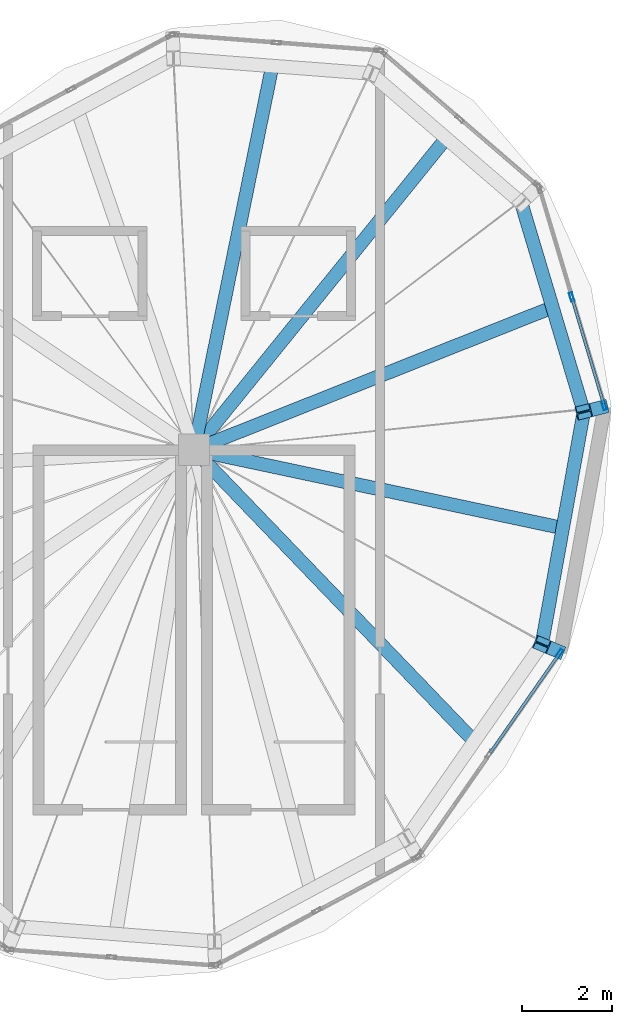
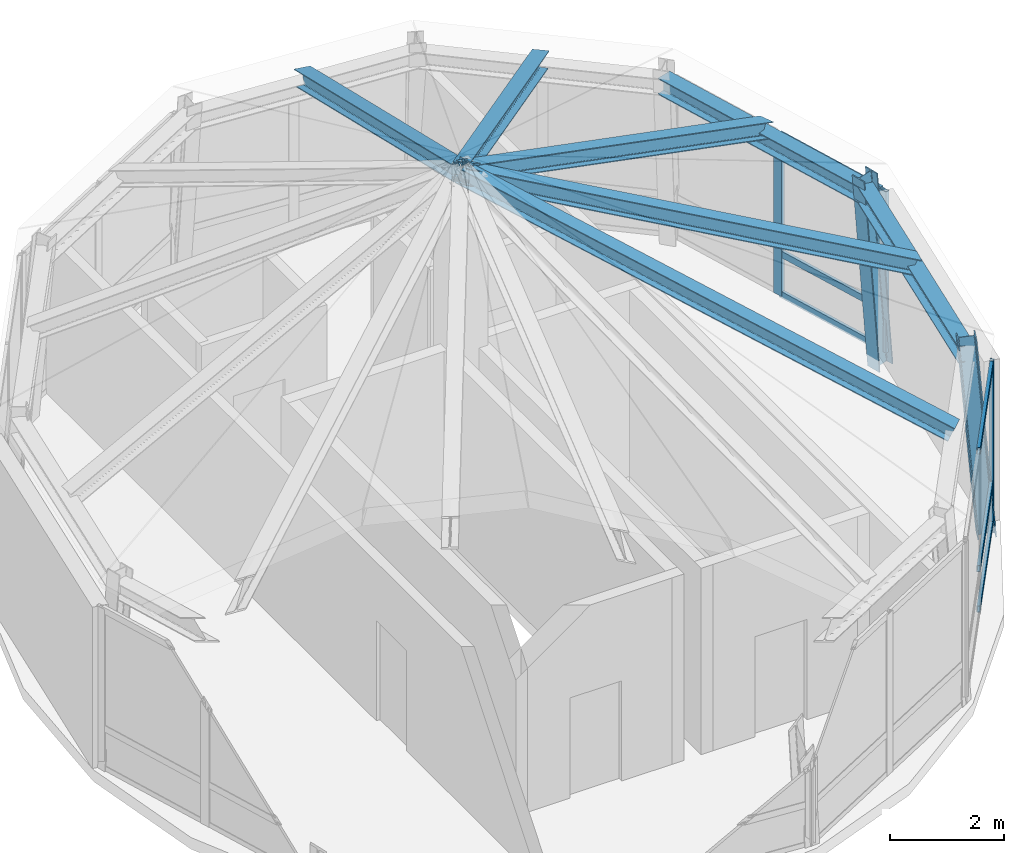
# One storey, part 4 of 8: 11 members, 7 beams, 2 elements without a shape of their own.
"""IFC4 building model written with IfcOpenShell, lengths in metres."""

from ifc_helpers import new_model, si_unit, direction, frame, origin, origin_2d, place, context, subcontext, project, spatial, hollow_rectangle, i_section, extrude, material, layer, layer_set, material_profile, profile_set, type_object, element, aggregate, save


model = new_model("IFC4")

# Units and contexts
model_context = context("Model", 3, precision=1e-05, world=origin(), true_north=direction((0.0, 1.0)))
body_context = subcontext(model_context, "Body", "Model", "MODEL_VIEW")
ifc_project = project(units=[si_unit("LENGTHUNIT", "METRE"), si_unit("AREAUNIT", "SQUARE_METRE"), si_unit("VOLUMEUNIT", "CUBIC_METRE"), si_unit("PLANEANGLEUNIT", "RADIAN"), si_unit("MASSUNIT", "GRAM", prefix="KILO"), si_unit("THERMODYNAMICTEMPERATUREUNIT", "KELVIN"), si_unit("POWERUNIT", "WATT")], contexts=[model_context])

# Site, building, storey
site_placement = place(None, origin())
site = spatial("IfcSite", under=ifc_project, at=site_placement, CompositionType="ELEMENT")
building_placement = place(site_placement, origin())
building = spatial("IfcBuilding", under=site, at=building_placement, Name="Ocrelia Relay Tower", CompositionType="ELEMENT")
storey_placement = place(building_placement, frame((0.0, 0.0, 308.0)))
storey = spatial("IfcBuildingStorey", under=building, at=storey_placement, Name="L77", CompositionType="ELEMENT", Elevation=308.0)

# Beams
ifc_material_1 = material(Name="Steel S355", Category="steel")
ifc_material_profile_1 = material_profile(ifc_material_1, i_section(OverallWidth=0.300048828125, OverallDepth=0.330078125, WebThickness=0.009521484375, FlangeThickness=0.0166015625, FilletRadius=0.027099609375, at=origin_2d()), Name="HEA 340")
ifc_profile_set_1 = profile_set([ifc_material_profile_1], Name="Steel S355")
beam_type_1 = type_object("IfcBeamType", Name="BM-HEA340", PredefinedType="BEAM", material=ifc_profile_set_1)
beam_1_placement = place(storey_placement, frame((35.745849609375, 35.6806640625, 3.87158203125), z_axis=(-0.183560765999, -0.900066382185, 0.395203685265), x_axis=(0.979830977212, -0.199828066337, 0.0)))
element("IfcBeam", 1, at=beam_1_placement, inside=storey, type_object=beam_type_1, Name="L77 Glass-Point Crown Apex Rafter RF01", PredefinedType="BEAM", context=body_context, shape_type="SweptSolid", body=[
    extrude(i_section(OverallWidth=0.300048828125, OverallDepth=0.330078125, WebThickness=0.009521484375, FlangeThickness=0.0166015625, FilletRadius=0.027099609375, at=origin_2d()), origin(), (0.0, 0.0, 1.0), 9.510986328125),
])
beam_2_placement = place(storey_placement, frame((40.250732421875, 20.616455078125, 3.833984375), z_axis=(-0.638676505521, 0.664519916829, 0.387950514153), x_axis=(-0.720987511609, -0.692948055848, 0.0)))
element("IfcBeam", 2, at=beam_2_placement, inside=storey, type_object=beam_type_1, Name="L77 Glass-Point Crown Apex Rafter RF09", PredefinedType="BEAM", context=body_context, shape_type="SweptSolid", body=[
    extrude(i_section(OverallWidth=0.300048828125, OverallDepth=0.330078125, WebThickness=0.009521484375, FlangeThickness=0.0166015625, FilletRadius=0.027099609375, at=origin_2d()), origin(), (0.0, 0.0, 1.0), 9.787109375),
])
beam_3_placement = place(storey_placement, frame((42.2255859375, 25.37255859375, 3.84130859375), z_axis=(-0.891894093852, 0.189486463368, 0.410633419917), x_axis=(-0.207815699276, -0.978167999443, 0.0)))
element("IfcBeam", 3, at=beam_3_placement, inside=storey, type_object=beam_type_1, Name="L77 Glass-Point Crown Apex Rafter RF10", PredefinedType="BEAM", context=body_context, shape_type="SweptSolid", body=[
    extrude(i_section(OverallWidth=0.300048828125, OverallDepth=0.330078125, WebThickness=0.009521484375, FlangeThickness=0.0166015625, FilletRadius=0.027099609375, at=origin_2d()), origin(), (0.0, 0.0, 1.0), 9.22265625),
])
beam_4_placement = place(storey_placement, frame((41.99658203125, 30.297119140625, 3.853759765625), z_axis=(-0.851008820013, -0.338101537975, 0.401834963984), x_axis=(0.369222527069, -0.929341016799, 0.0)))
element("IfcBeam", 4, at=beam_4_placement, inside=storey, type_object=beam_type_1, Name="L77 Glass-Point Crown Apex Rafter RF11", PredefinedType="BEAM", context=body_context, shape_type="SweptSolid", body=[
    extrude(i_section(OverallWidth=0.300048828125, OverallDepth=0.330078125, WebThickness=0.009521484375, FlangeThickness=0.0166015625, FilletRadius=0.027099609375, at=origin_2d()), origin(), (0.0, 0.0, 1.0), 9.396484375),
])
beam_5_placement = place(storey_placement, frame((39.624755859375, 34.070068359375, 3.8662109375), z_axis=(-0.579780451229, -0.716377017454, 0.388147648759), x_axis=(0.777321172294, -0.629103962079, 0.0)))
element("IfcBeam", 5, at=beam_5_placement, inside=storey, type_object=beam_type_1, Name="L77 Glass-Point Crown Apex Rafter RF12", PredefinedType="BEAM", context=body_context, shape_type="SweptSolid", body=[
    extrude(i_section(OverallWidth=0.300048828125, OverallDepth=0.330078125, WebThickness=0.009521484375, FlangeThickness=0.0166015625, FilletRadius=0.027099609375, at=origin_2d()), origin(), (0.0, 0.0, 1.0), 9.701416015625),
])
ifc_material_profile_2 = material_profile(ifc_material_1, i_section(OverallWidth=0.300048828125, OverallDepth=0.35009765625, WebThickness=0.010009765625, FlangeThickness=0.017578125, FilletRadius=0.027099609375, at=origin_2d()), Name="HEA 360")
ifc_profile_set_2 = profile_set([ifc_material_profile_2], Name="Steel S355")
beam_type_2 = type_object("IfcBeamType", Name="BM-HEA360", PredefinedType="SPANDREL", material=ifc_profile_set_2)
beam_6_placement = place(storey_placement, frame((41.7578125, 22.77880859375, 3.64501953125), z_axis=(0.177475087064, 0.984125293584, 0.0), x_axis=(-0.984125293584, 0.177475087064, 0.0)))
element("IfcBeam", 6, at=beam_6_placement, inside=storey, type_object=beam_type_2, Name="L77 Crown Faceted Ring Beam R10", PredefinedType="SPANDREL", context=body_context, shape_type="SweptSolid", body=[
    extrude(i_section(OverallWidth=0.300048828125, OverallDepth=0.35009765625, WebThickness=0.010009765625, FlangeThickness=0.017578125, FilletRadius=0.027099609375, at=origin_2d()), origin(), (0.0, 0.0, 1.0), 5.271484375),
])
beam_7_placement = place(storey_placement, frame((42.693359375, 27.966552734375, 3.64501953125), z_axis=(-0.286505221663, 0.958078680464, 0.0), x_axis=(-0.958078680464, -0.286505221663, 0.0)))
element("IfcBeam", 7, at=beam_7_placement, inside=storey, type_object=beam_type_2, Name="L77 Crown Faceted Ring Beam R11", PredefinedType="SPANDREL", context=body_context, shape_type="SweptSolid", body=[
    extrude(i_section(OverallWidth=0.300048828125, OverallDepth=0.35009765625, WebThickness=0.010009765625, FlangeThickness=0.017578125, FilletRadius=0.027099609375, at=origin_2d()), origin(), (0.0, 0.0, 1.0), 4.86474609375),
])

# Curtain wall, member
ifc_material_2 = material(Name="Aluminium and solar-control low-E glass", Category="aluminium")
ifc_layer = layer(ifc_material_2, 0.179931640625, Name="Aluminium and solar-control low-E glass")
ifc_layer_set = layer_set([ifc_layer], Name="Aluminium and solar-control low-E glass")
curtain_wall_type = type_object("IfcCurtainWallType", Name="CW-SYS-CROWN-PT", PredefinedType="NOTDEFINED", material=ifc_layer_set)
curtain_wall_1_placement = place(storey_placement, origin())
curtain_wall_1 = element("IfcCurtainWall", 8, at=curtain_wall_1_placement, inside=storey, type_object=curtain_wall_type, Name="L77 Faceted Glass-Point Crown Curtain Wall 09", PredefinedType="NOTDEFINED")
ifc_material_3 = material(Name="Anodised bronze aluminium", Category="aluminium")
ifc_material_profile_3 = material_profile(ifc_material_3, hollow_rectangle(XDim=0.074951171875, YDim=0.199951171875, WallThickness=0.006103515625, at=origin_2d()), Name="CW-MUL-200x75")
ifc_profile_set_3 = profile_set([ifc_material_profile_3], Name="Anodised bronze aluminium")
member_type_1 = type_object("IfcMemberType", Name="CW-SYS-CROWN-PT-MUL", PredefinedType="MULLION", material=ifc_profile_set_3)
member_1_placement = place(storey_placement, frame((42.15185546875, 22.575439453125, 0.0), z_axis=(0.0, 0.0, 1.0), x_axis=(-0.820359766899, 0.571847753211, 0.0)))
member_1 = element("IfcMember", 9, at=member_1_placement, type_object=member_type_1, Name="CW-CR mullion 3", PredefinedType="MULLION", context=body_context, shape_type="SweptSolid", body=[
    extrude(hollow_rectangle(XDim=0.074951171875, YDim=0.199951171875, WallThickness=0.006103515625, at=origin_2d()), origin(), (0.0, 0.0, 1.0), 3.4599609375),
])

# Curtain wall, members
curtain_wall_2_placement = place(storey_placement, origin())
curtain_wall_2 = element("IfcCurtainWall", 10, at=curtain_wall_2_placement, inside=storey, type_object=curtain_wall_type, Name="L77 Faceted Glass-Point Crown Curtain Wall 11", PredefinedType="NOTDEFINED")
member_2_placement = place(storey_placement, frame((43.14794921875, 28.10693359375, 0.0), z_axis=(0.0, 0.0, 1.0), x_axis=(-0.958056902015, -0.286578039111, 0.0)))
member_2 = element("IfcMember", 11, at=member_2_placement, type_object=member_type_1, Name="CW-CR mullion 1", PredefinedType="MULLION", context=body_context, shape_type="SweptSolid", body=[
    extrude(hollow_rectangle(XDim=0.074951171875, YDim=0.199951171875, WallThickness=0.006103515625, at=origin_2d()), origin(), (0.0, 0.0, 1.0), 3.4599609375),
])
member_3_placement = place(storey_placement, frame((42.424560546875, 30.52587890625, 0.0), z_axis=(0.0, 0.0, 1.0), x_axis=(-0.958056902015, -0.286578039111, 0.0)))
member_3 = element("IfcMember", 12, at=member_3_placement, type_object=member_type_1, Name="CW-CR mullion 2", PredefinedType="MULLION", context=body_context, shape_type="SweptSolid", body=[
    extrude(hollow_rectangle(XDim=0.074951171875, YDim=0.199951171875, WallThickness=0.006103515625, at=origin_2d()), origin(), (0.0, 0.0, 1.0), 3.4599609375),
])

# Member
ifc_material_profile_4 = material_profile(ifc_material_3, hollow_rectangle(XDim=0.06494140625, YDim=0.139892578125, WallThickness=0.0048828125, at=origin_2d()), Name="CW-TRN-140x65")
ifc_profile_set_4 = profile_set([ifc_material_profile_4], Name="Anodised bronze aluminium")
member_type_2 = type_object("IfcMemberType", Name="CW-SYS-CROWN-PT-TRN", PredefinedType="USERDEFINED", material=ifc_profile_set_4)
member_4_placement = place(storey_placement, frame((40.607177734375, 20.359130859375, 0.032470703125), z_axis=(0.571837518298, 0.82036690125, 0.0), x_axis=(-0.82036690125, 0.571837518298, 0.0)))
member_4 = element("IfcMember", 13, at=member_4_placement, type_object=member_type_2, Name="CW-CR transom 2.1", ObjectType="TRANSOM", PredefinedType="USERDEFINED", context=body_context, shape_type="SweptSolid", body=[
    extrude(hollow_rectangle(XDim=0.06494140625, YDim=0.139892578125, WallThickness=0.0048828125, at=origin_2d()), origin(), (0.0, 0.0, 1.0), 2.6640625),
])

member_5_placement = place(storey_placement, frame((40.607177734375, 20.359130859375, 0.89990234375), z_axis=(0.571837518298, 0.82036690125, 0.0), x_axis=(-0.82036690125, 0.571837518298, 0.0)))
member_5 = element("IfcMember", 14, at=member_5_placement, type_object=member_type_2, Name="CW-CR transom 2.2", ObjectType="TRANSOM", PredefinedType="USERDEFINED", context=body_context, shape_type="SweptSolid", body=[
    extrude(hollow_rectangle(XDim=0.06494140625, YDim=0.139892578125, WallThickness=0.0048828125, at=origin_2d()), origin(), (0.0, 0.0, 1.0), 2.6640625),
])

member_6_placement = place(storey_placement, frame((40.607177734375, 20.359130859375, 3.427490234375), z_axis=(0.571837518298, 0.82036690125, 0.0), x_axis=(-0.82036690125, 0.571837518298, 0.0)))
member_6 = element("IfcMember", 15, at=member_6_placement, type_object=member_type_2, Name="CW-CR transom 2.3", ObjectType="TRANSOM", PredefinedType="USERDEFINED", context=body_context, shape_type="SweptSolid", body=[
    extrude(hollow_rectangle(XDim=0.06494140625, YDim=0.139892578125, WallThickness=0.0048828125, at=origin_2d()), origin(), (0.0, 0.0, 1.0), 2.6640625),
])

aggregate(curtain_wall_1, [member_1, member_4, member_5, member_6])

member_7_placement = place(storey_placement, frame((43.13720703125, 28.142822265625, 0.032470703125), z_axis=(-0.286506654318, 0.95807825204, 0.0), x_axis=(-0.95807825204, -0.286506654318, 0.0)))
member_7 = element("IfcMember", 16, at=member_7_placement, type_object=member_type_2, Name="CW-CR transom 1.1", ObjectType="TRANSOM", PredefinedType="USERDEFINED", context=body_context, shape_type="SweptSolid", body=[
    extrude(hollow_rectangle(XDim=0.06494140625, YDim=0.139892578125, WallThickness=0.0048828125, at=origin_2d()), origin(), (0.0, 0.0, 1.0), 2.449951171875),
])

member_8_placement = place(storey_placement, frame((43.13720703125, 28.142822265625, 0.89990234375), z_axis=(-0.286506654318, 0.95807825204, 0.0), x_axis=(-0.95807825204, -0.286506654318, 0.0)))
member_8 = element("IfcMember", 17, at=member_8_placement, type_object=member_type_2, Name="CW-CR transom 1.2", ObjectType="TRANSOM", PredefinedType="USERDEFINED", context=body_context, shape_type="SweptSolid", body=[
    extrude(hollow_rectangle(XDim=0.06494140625, YDim=0.139892578125, WallThickness=0.0048828125, at=origin_2d()), origin(), (0.0, 0.0, 1.0), 2.449951171875),
])

member_9_placement = place(storey_placement, frame((43.13720703125, 28.142822265625, 3.427490234375), z_axis=(-0.286506654318, 0.95807825204, 0.0), x_axis=(-0.95807825204, -0.286506654318, 0.0)))
member_9 = element("IfcMember", 18, at=member_9_placement, type_object=member_type_2, Name="CW-CR transom 1.3", ObjectType="TRANSOM", PredefinedType="USERDEFINED", context=body_context, shape_type="SweptSolid", body=[
    extrude(hollow_rectangle(XDim=0.06494140625, YDim=0.139892578125, WallThickness=0.0048828125, at=origin_2d()), origin(), (0.0, 0.0, 1.0), 2.449951171875),
])

aggregate(curtain_wall_2, [member_2, member_3, member_7, member_8, member_9])

# Members
ifc_material_profile_5 = material_profile(ifc_material_1, i_section(OverallWidth=0.300048828125, OverallDepth=0.340087890625, WebThickness=0.011962890625, FlangeThickness=0.021484375, FilletRadius=0.027099609375, at=origin_2d()), Name="HEB 340")
ifc_profile_set_5 = profile_set([ifc_material_profile_5], Name="Steel S355")
member_type_3 = type_object("IfcMemberType", Name="MB-CROWN-RIB", PredefinedType="STRUT", material=ifc_profile_set_5)
member_10_placement = place(storey_placement, frame((42.0810546875, 22.64453125, -0.25), z_axis=(-0.075554618374, 0.031385981953, 0.996647590565), x_axis=(-0.383624631581, -0.923489113116, 0.0)))
element("IfcMember", 19, at=member_10_placement, inside=storey, type_object=member_type_3, Name="L77 Crown Faceted Structural Strut Rib CR10", PredefinedType="STRUT", context=body_context, shape_type="SweptSolid", body=[
    extrude(i_section(OverallWidth=0.300048828125, OverallDepth=0.340087890625, WebThickness=0.011962890625, FlangeThickness=0.021484375, FilletRadius=0.027099609375, at=origin_2d()), origin(), (0.0, 0.0, 1.0), 4.2783203125),
])
member_11_placement = place(storey_placement, frame((43.0595703125, 28.05810546875, -0.25), z_axis=(-0.085386525033, -0.021346631258, 0.996119201038), x_axis=(0.242535625036, -0.970142500145, 0.0)))
element("IfcMember", 20, at=member_11_placement, inside=storey, type_object=member_type_3, Name="L77 Crown Faceted Structural Strut Rib CR11", PredefinedType="STRUT", context=body_context, shape_type="SweptSolid", body=[
    extrude(i_section(OverallWidth=0.300048828125, OverallDepth=0.340087890625, WebThickness=0.011962890625, FlangeThickness=0.021484375, FilletRadius=0.027099609375, at=origin_2d()), origin(), (0.0, 0.0, 1.0), 4.288818359375),
])

save(model, "model.ifc")
